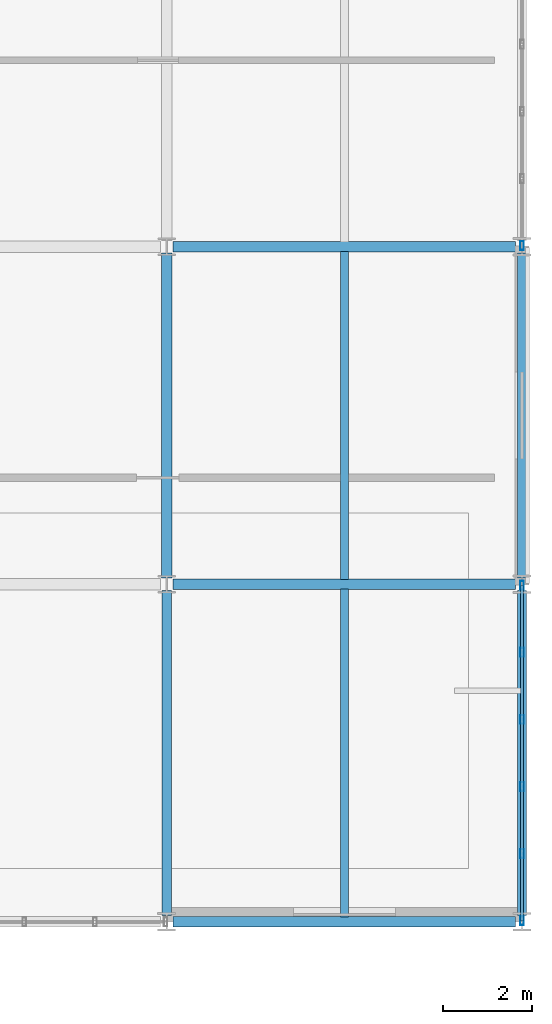
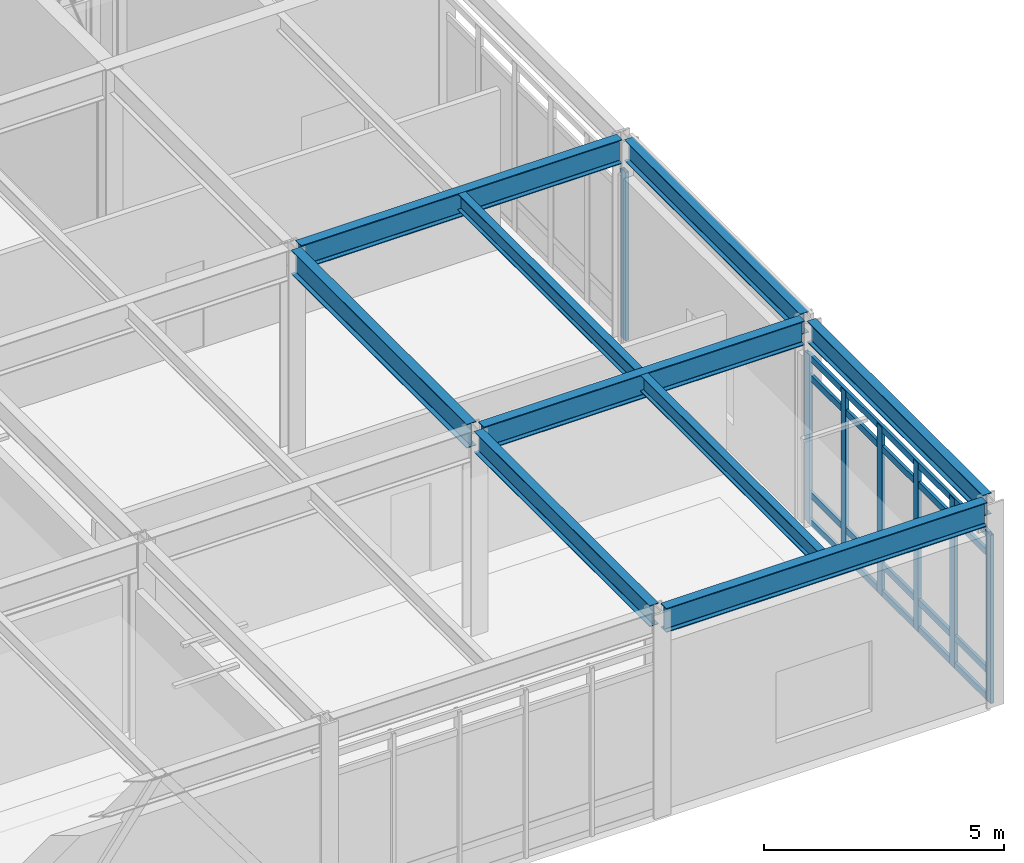
# One storey, part 58 of 94: 11 members, 9 beams, 2 elements without a shape of their own.
"""IFC4 building model written with IfcOpenShell, lengths in metres."""

import ifcopenshell
import ifcopenshell.guid

model = None  # the IFC model being written
_history = None  # IfcOwnerHistory: only IFC2X3 demands one
_inside = {}  # id of a spatial element -> (the spatial element, [elements in it])
_under = {}  # id of a project, library or spatial element -> (it, [spatial elements below it])
_declared = {}  # id of a project -> (the project, [libraries it declares])
_typed = {}  # id of a type object -> (the type object, [elements of that type])
_made_of = {}  # id of a material, layer set ... -> (it, [elements and type objects made of it])


def new_model(schema):
    """Start an empty IFC model of exactly this schema.

    Asked for "IFC4X3", IfcOpenShell would pick the latest addendum, in which some entities
    have other attributes; the version numbers below select the first issue.
    IFC2X3 requires an IfcOwnerHistory on every rooted entity: one is made here for all.
    """
    global model, _history
    if schema == "IFC4X3":
        model = ifcopenshell.file(schema_version=(4, 3, 0, 0))
    else:
        model = ifcopenshell.file(schema=schema)
    _inside.clear()
    _under.clear()
    _declared.clear()
    _typed.clear()
    _made_of.clear()
    _history = None
    if model.schema == "IFC2X3":
        org = make("IfcOrganization", Name="unknown")
        user = make(
            "IfcPersonAndOrganization",
            ThePerson=make("IfcPerson", FamilyName="unknown"),
            TheOrganization=org,
        )
        app = make(
            "IfcApplication",
            ApplicationDeveloper=org,
            Version="unknown",
            ApplicationFullName="unknown",
            ApplicationIdentifier="unknown",
        )
        _history = make(
            "IfcOwnerHistory",
            OwningUser=user,
            OwningApplication=app,
            ChangeAction="ADDED",
            CreationDate=0,
        )
    return model


def make(cls, **values):
    """One entity of the class cls with the attributes given. An attribute that is None is left unset."""
    return model.create_entity(
        cls, **{name: value for name, value in values.items() if value is not None}
    )


def rooted(cls, **values):
    """An entity with a GlobalId (a new one), such as an element, a storey or a relation."""
    return make(cls, GlobalId=ifcopenshell.guid.new(), OwnerHistory=_history, **values)


def si_unit(unit_type, name, prefix=None):
    """IfcSIUnit, for example si_unit("LENGTHUNIT", "METRE", prefix="MILLI")."""
    return make("IfcSIUnit", UnitType=unit_type, Prefix=prefix, Name=name)


def assignment(units):
    """IfcUnitAssignment: the units of a project."""
    return None if units is None else make("IfcUnitAssignment", Units=units)


def point(xyz):
    """IfcCartesianPoint."""
    return None if xyz is None else make("IfcCartesianPoint", Coordinates=xyz)


def direction(xyz):
    """IfcDirection."""
    return None if xyz is None else make("IfcDirection", DirectionRatios=xyz)


def frame(location, z_axis=None, x_axis=None):
    """IfcAxis2Placement3D, a coordinate frame: its origin and axes. An axis left out is left unset."""
    return make(
        "IfcAxis2Placement3D",
        Location=point(location),
        Axis=direction(z_axis),
        RefDirection=direction(x_axis),
    )


def frame_2d(location, x_axis=None):
    """IfcAxis2Placement2D, a coordinate frame in the plane: its origin and x axis."""
    return make(
        "IfcAxis2Placement2D", Location=point(location), RefDirection=direction(x_axis)
    )


def origin():
    """The frame at (0, 0, 0) with its axes left unset."""
    return frame((0.0, 0.0, 0.0))


def origin_2d():
    """The frame at (0, 0) in the plane with its x axis left unset."""
    return frame_2d((0.0, 0.0))


def place(relative_to, where):
    """IfcLocalPlacement: puts the frame where relative to a parent placement (None: the world)."""
    return make(
        "IfcLocalPlacement", PlacementRelTo=relative_to, RelativePlacement=where
    )


def context(
    kind, dimensions, precision=None, world=None, true_north=None, identifier=None
):
    """IfcGeometricRepresentationContext, for example the 3D "Model" context."""
    return make(
        "IfcGeometricRepresentationContext",
        ContextIdentifier=identifier,
        ContextType=kind,
        CoordinateSpaceDimension=dimensions,
        Precision=precision,
        WorldCoordinateSystem=world,
        TrueNorth=true_north,
    )


def subcontext(parent, identifier, kind, view, scale=None):
    """IfcGeometricRepresentationSubContext, for example "Body" below "Model"."""
    return make(
        "IfcGeometricRepresentationSubContext",
        ContextIdentifier=identifier,
        ContextType=kind,
        ParentContext=parent,
        TargetScale=scale,
        TargetView=view,
    )


def project(units=None, contexts=None):
    """IfcProject with its units and contexts."""
    return rooted(
        "IfcProject",
        Name="project",
        RepresentationContexts=contexts,
        UnitsInContext=assignment(units),
    )


def spatial(cls, under=None, at=None, **own):
    """A site, building, storey or space (cls), placed at a placement, below another one or the project."""
    s = rooted(cls, ObjectPlacement=at, **own)
    if under is not None:
        _under.setdefault(under.id(), (under, []))[1].append(s)
    return s


def profile(cls, at=None, kind="AREA", **sizes):
    """A parametric profile (cls). Its sizes go by their IFC names, for example OverallWidth=200.0."""
    return make(cls, ProfileType=kind, Position=at, **sizes)


def hollow_rectangle(**sizes):
    """IfcRectangleHollowProfileDef."""
    return profile("IfcRectangleHollowProfileDef", **sizes)


def i_section(**sizes):
    """IfcIShapeProfileDef."""
    return profile("IfcIShapeProfileDef", **sizes)


def extrude(swept, where, along, depth):
    """IfcExtrudedAreaSolid: the profile swept, set in the frame where, extruded along a direction by depth."""
    return make(
        "IfcExtrudedAreaSolid",
        SweptArea=swept,
        Position=where,
        ExtrudedDirection=direction(along),
        Depth=depth,
    )


def shape(context_of_items, identifier, shape_type, items):
    """IfcShapeRepresentation: the items that make up one representation, for example the "Body"."""
    return make(
        "IfcShapeRepresentation",
        ContextOfItems=context_of_items,
        RepresentationIdentifier=identifier,
        RepresentationType=shape_type,
        Items=items,
    )


def material(Name=None, Category=None):
    """IfcMaterial."""
    return make("IfcMaterial", Name=Name, Category=Category)


def material_profile(
    of_material, cross_section, Name=None, Category=None, Priority=None
):
    """IfcMaterialProfile: a cross section and its material."""
    return make(
        "IfcMaterialProfile",
        Name=Name,
        Material=of_material,
        Profile=cross_section,
        Priority=Priority,
        Category=Category,
    )


def profile_set(profiles, Name=None, composite=None):
    """IfcMaterialProfileSet."""
    return make(
        "IfcMaterialProfileSet",
        Name=Name,
        MaterialProfiles=profiles,
        CompositeProfile=composite,
    )


def made_of(thing, what):
    """Note that an element or type object is made of a material, layer set ...; save() writes the relation."""
    if what is not None:
        _made_of.setdefault(what.id(), (what, []))[1].append(thing)
    return thing


def type_object(cls, material=None, **own):
    """A type object (cls), such as IfcWallType, which elements share."""
    return made_of(rooted(cls, **own), material)


def element(
    cls,
    number,
    at=None,
    inside=None,
    cuts=None,
    type_object=None,
    material=None,
    context=None,
    identifier="Body",
    shape_type=None,
    held_by="IfcProductDefinitionShape",
    body=None,
    shapes=None,
    **own,
):
    """One element of the class cls, such as IfcWall. Its Tag is "e" and its number.

    at: its placement. inside: the storey or other place that contains it. cuts: it is an
    opening in that element (IfcRelVoidsElement). A single representation is given by context,
    identifier, shape_type and body (its items); several are given by shapes. held_by: the class
    of the entity that holds the representations. save() writes the other relations.
    """
    e = rooted(cls, Tag="e%d" % number, ObjectPlacement=at, **own)
    if body is not None:
        shapes = [shape(context, identifier, shape_type, body)]
    if shapes is not None:
        e.Representation = make(held_by, Representations=shapes)
    if inside is not None:
        _inside.setdefault(inside.id(), (inside, []))[1].append(e)
    if cuts is not None:
        rooted(
            "IfcRelVoidsElement", RelatingBuildingElement=cuts, RelatedOpeningElement=e
        )
    if type_object is not None:
        _typed.setdefault(type_object.id(), (type_object, []))[1].append(e)
    return made_of(e, material)


def aggregate(whole, parts):
    """IfcRelAggregates: a whole, such as a stair, and the parts it consists of."""
    return rooted("IfcRelAggregates", RelatingObject=whole, RelatedObjects=parts)


def save(model, path):
    """Write the relations noted so far, then the file.

    IfcRelAggregates (storeys below a building ...), IfcRelContainedInSpatialStructure (elements
    in a storey), IfcRelDefinesByType, IfcRelAssociatesMaterial and IfcRelDeclares: one each for
    every whole, place, type object, material and project.
    """
    for whole, parts in _under.values():
        aggregate(whole, parts)
    for where, things in _inside.values():
        rooted(
            "IfcRelContainedInSpatialStructure",
            RelatedElements=things,
            RelatingStructure=where,
        )
    for kind, things in _typed.values():
        rooted("IfcRelDefinesByType", RelatedObjects=things, RelatingType=kind)
    for what, things in _made_of.values():
        rooted("IfcRelAssociatesMaterial", RelatedObjects=things, RelatingMaterial=what)
    for by, libraries in _declared.values():
        rooted("IfcRelDeclares", RelatingContext=by, RelatedDefinitions=libraries)
    model.write(path)


model = new_model("IFC4")

# Units and contexts
model_context = context("Model", 3, precision=1e-05, world=origin(), true_north=direction((0.0, 1.0)))
body_context = subcontext(model_context, "Body", "Model", "MODEL_VIEW")
ifc_project = project(units=[si_unit("LENGTHUNIT", "METRE"), si_unit("AREAUNIT", "SQUARE_METRE"), si_unit("VOLUMEUNIT", "CUBIC_METRE"), si_unit("PLANEANGLEUNIT", "RADIAN"), si_unit("MASSUNIT", "GRAM", prefix="KILO")], contexts=[model_context])

# Site, building, storey
site_placement = place(None, origin())
site = spatial("IfcSite", under=ifc_project, at=site_placement, CompositionType="ELEMENT")
building_placement = place(site_placement, origin())
building = spatial("IfcBuilding", under=site, at=building_placement, Name="Zulena Civic Courthouse", CompositionType="ELEMENT")
storey_placement = place(building_placement, frame((0.0, 0.0, 5.39990234375)))
storey = spatial("IfcBuildingStorey", under=building, at=storey_placement, Name="L01", CompositionType="ELEMENT", Elevation=5.39990234375)

# Curtain wall, member
ifc_material_1 = material(Name="Double-silver low-E laminated solar-control glass", Category="glass")
curtain_wall_type = type_object("IfcCurtainWallType", Name="CW_7552x4280", PredefinedType="USERDEFINED", material=ifc_material_1)
curtain_wall_1_placement = place(storey_placement, origin())
curtain_wall_1 = element("IfcCurtainWall", 1, at=curtain_wall_1_placement, inside=storey, type_object=curtain_wall_type, Name="cw:V1:L01:2:1", ObjectType="UNITISED CURTAIN WALL", PredefinedType="USERDEFINED")
ifc_material_2 = material(Name="Bronze anodised thermally broken aluminium AA6063-T6", Category="aluminium")
ifc_material_profile_1 = material_profile(ifc_material_2, hollow_rectangle(XDim=0.080078125, YDim=0.199951171875, WallThickness=0.0048828125, at=origin_2d()), Name="CWM200X80X5")
ifc_profile_set_1 = profile_set([ifc_material_profile_1], Name="Bronze anodised thermally broken aluminium AA6063-T6")
member_type_1 = type_object("IfcMemberType", Name="CWMullion_200x80", PredefinedType="MULLION", material=ifc_profile_set_1)
member_1_placement = place(storey_placement, frame((172.0, 15.22412109375, 0.0), z_axis=(0.0, 0.0, 1.0), x_axis=(1.0, 0.0, 0.0)))
member_1 = element("IfcMember", 2, at=member_1_placement, type_object=member_type_1, Name="cw:V1:L01:2:1:mull:5", PredefinedType="MULLION", context=body_context, shape_type="SweptSolid", body=[
    extrude(hollow_rectangle(XDim=0.080078125, YDim=0.199951171875, WallThickness=0.0048828125, at=origin_2d()), origin(), (0.0, 0.0, 1.0), 4.280029296875),
])
aggregate(curtain_wall_1, [member_1])

# Curtain wall, members
curtain_wall_2_placement = place(storey_placement, origin())
curtain_wall_2 = element("IfcCurtainWall", 3, at=curtain_wall_2_placement, inside=storey, type_object=curtain_wall_type, Name="cw:V1:L01:2:3", ObjectType="UNITISED CURTAIN WALL", PredefinedType="USERDEFINED")
member_2_placement = place(storey_placement, frame((172.0, 7.575927734375, 0.0), z_axis=(0.0, 0.0, 1.0), x_axis=(1.0, 0.0, 0.0)))
member_2 = element("IfcMember", 4, at=member_2_placement, type_object=member_type_1, Name="cw:V1:L01:2:3:mull:0", PredefinedType="MULLION", context=body_context, shape_type="SweptSolid", body=[
    extrude(hollow_rectangle(XDim=0.080078125, YDim=0.199951171875, WallThickness=0.0048828125, at=origin_2d()), origin(), (0.0, 0.0, 1.0), 4.280029296875),
])
member_3_placement = place(storey_placement, frame((172.0, 6.065673828125, 0.0), z_axis=(0.0, 0.0, 1.0), x_axis=(1.0, 0.0, 0.0)))
member_3 = element("IfcMember", 5, at=member_3_placement, type_object=member_type_1, Name="cw:V1:L01:2:3:mull:1", PredefinedType="MULLION", context=body_context, shape_type="SweptSolid", body=[
    extrude(hollow_rectangle(XDim=0.080078125, YDim=0.199951171875, WallThickness=0.0048828125, at=origin_2d()), origin(), (0.0, 0.0, 1.0), 4.280029296875),
])
member_4_placement = place(storey_placement, frame((172.0, 4.55517578125, 0.0), z_axis=(0.0, 0.0, 1.0), x_axis=(1.0, 0.0, 0.0)))
member_4 = element("IfcMember", 6, at=member_4_placement, type_object=member_type_1, Name="cw:V1:L01:2:3:mull:2", PredefinedType="MULLION", context=body_context, shape_type="SweptSolid", body=[
    extrude(hollow_rectangle(XDim=0.080078125, YDim=0.199951171875, WallThickness=0.0048828125, at=origin_2d()), origin(), (0.0, 0.0, 1.0), 4.280029296875),
])
member_5_placement = place(storey_placement, frame((172.0, 3.044921875, 0.0), z_axis=(0.0, 0.0, 1.0), x_axis=(1.0, 0.0, 0.0)))
member_5 = element("IfcMember", 7, at=member_5_placement, type_object=member_type_1, Name="cw:V1:L01:2:3:mull:3", PredefinedType="MULLION", context=body_context, shape_type="SweptSolid", body=[
    extrude(hollow_rectangle(XDim=0.080078125, YDim=0.199951171875, WallThickness=0.0048828125, at=origin_2d()), origin(), (0.0, 0.0, 1.0), 4.280029296875),
])
member_6_placement = place(storey_placement, frame((172.0, 1.534423828125, 0.0), z_axis=(0.0, 0.0, 1.0), x_axis=(1.0, 0.0, 0.0)))
member_6 = element("IfcMember", 8, at=member_6_placement, type_object=member_type_1, Name="cw:V1:L01:2:3:mull:4", PredefinedType="MULLION", context=body_context, shape_type="SweptSolid", body=[
    extrude(hollow_rectangle(XDim=0.080078125, YDim=0.199951171875, WallThickness=0.0048828125, at=origin_2d()), origin(), (0.0, 0.0, 1.0), 4.280029296875),
])
member_7_placement = place(storey_placement, frame((172.0, 0.02392578125, 0.0), z_axis=(0.0, 0.0, 1.0), x_axis=(1.0, 0.0, 0.0)))
member_7 = element("IfcMember", 9, at=member_7_placement, type_object=member_type_1, Name="cw:V1:L01:2:3:mull:5", PredefinedType="MULLION", context=body_context, shape_type="SweptSolid", body=[
    extrude(hollow_rectangle(XDim=0.080078125, YDim=0.199951171875, WallThickness=0.0048828125, at=origin_2d()), origin(), (0.0, 0.0, 1.0), 4.280029296875),
])
ifc_material_profile_2 = material_profile(ifc_material_2, hollow_rectangle(XDim=0.070068359375, YDim=0.1650390625, WallThickness=0.00390625, at=origin_2d()), Name="CWT165X70X4")
ifc_profile_set_2 = profile_set([ifc_material_profile_2], Name="Bronze anodised thermally broken aluminium AA6063-T6")
member_type_2 = type_object("IfcMemberType", Name="CWTransom_165x70", PredefinedType="USERDEFINED", material=ifc_profile_set_2)
member_8_placement = place(storey_placement, frame((172.0, 7.575927734375, 0.06005859375), z_axis=(0.0, -1.0, 0.0), x_axis=(1.0, 0.0, 0.0)))
member_8 = element("IfcMember", 10, at=member_8_placement, type_object=member_type_2, Name="cw:V1:L01:2:3:tran:0", ObjectType="TRANSOM", PredefinedType="USERDEFINED", context=body_context, shape_type="SweptSolid", body=[
    extrude(hollow_rectangle(XDim=0.070068359375, YDim=0.1650390625, WallThickness=0.00390625, at=origin_2d()), origin(), (0.0, 0.0, 1.0), 7.552001953125),
])
member_9_placement = place(storey_placement, frame((172.0, 7.575927734375, 0.75), z_axis=(0.0, -1.0, 0.0), x_axis=(1.0, 0.0, 0.0)))
member_9 = element("IfcMember", 11, at=member_9_placement, type_object=member_type_2, Name="cw:V1:L01:2:3:tran:1", ObjectType="TRANSOM", PredefinedType="USERDEFINED", context=body_context, shape_type="SweptSolid", body=[
    extrude(hollow_rectangle(XDim=0.070068359375, YDim=0.1650390625, WallThickness=0.00390625, at=origin_2d()), origin(), (0.0, 0.0, 1.0), 7.552001953125),
])
member_10_placement = place(storey_placement, frame((172.0, 7.575927734375, 3.72998046875), z_axis=(0.0, -1.0, 0.0), x_axis=(1.0, 0.0, 0.0)))
member_10 = element("IfcMember", 12, at=member_10_placement, type_object=member_type_2, Name="cw:V1:L01:2:3:tran:2", ObjectType="TRANSOM", PredefinedType="USERDEFINED", context=body_context, shape_type="SweptSolid", body=[
    extrude(hollow_rectangle(XDim=0.070068359375, YDim=0.1650390625, WallThickness=0.00390625, at=origin_2d()), origin(), (0.0, 0.0, 1.0), 7.552001953125),
])
member_11_placement = place(storey_placement, frame((172.0, 7.575927734375, 4.22021484375), z_axis=(0.0, -1.0, 0.0), x_axis=(1.0, 0.0, 0.0)))
member_11 = element("IfcMember", 13, at=member_11_placement, type_object=member_type_2, Name="cw:V1:L01:2:3:tran:3", ObjectType="TRANSOM", PredefinedType="USERDEFINED", context=body_context, shape_type="SweptSolid", body=[
    extrude(hollow_rectangle(XDim=0.070068359375, YDim=0.1650390625, WallThickness=0.00390625, at=origin_2d()), origin(), (0.0, 0.0, 1.0), 7.552001953125),
])
aggregate(curtain_wall_2, [member_2, member_3, member_4, member_5, member_6, member_7, member_8, member_9, member_10, member_11])

# Beams
ifc_material_3 = material(Name="Steel ASTM A992 Grade 50", Category="steel")
ifc_material_profile_3 = material_profile(ifc_material_3, i_section(OverallWidth=0.22802734375, OverallDepth=0.60693359375, WebThickness=0.01123046875, FlangeThickness=0.017333984375, FilletRadius=0.0126953125, at=origin_2d()), Name="W24X76")
ifc_profile_set_3 = profile_set([ifc_material_profile_3], Name="Steel ASTM A992 Grade 50")
beam_type_1 = type_object("IfcBeamType", Name="Girder_W24X76", PredefinedType="BEAM", material=ifc_profile_set_3)
beam_1_placement = place(storey_placement, frame((164.0, 7.7451171875, 4.881591796875), z_axis=(0.0, 1.0, 0.0), x_axis=(-1.0, 0.0, 0.0)))
element("IfcBeam", 14, at=beam_1_placement, inside=storey, type_object=beam_type_1, Name="beam:Y:V1:L01:164.0:7.6_15.2", PredefinedType="BEAM", context=body_context, shape_type="SweptSolid", body=[
    extrude(i_section(OverallWidth=0.22802734375, OverallDepth=0.60693359375, WebThickness=0.01123046875, FlangeThickness=0.017333984375, FilletRadius=0.0126953125, at=origin_2d()), origin(), (0.0, 0.0, 1.0), 7.309814453125),
])
ifc_material_profile_4 = material_profile(ifc_material_3, i_section(OverallWidth=0.180908203125, OverallDepth=0.4169921875, WebThickness=0.010986328125, FlangeThickness=0.018310546875, FilletRadius=0.01025390625, at=origin_2d()), Name="W16X57")
ifc_profile_set_4 = profile_set([ifc_material_profile_4], Name="Steel ASTM A992 Grade 50")
beam_type_2 = type_object("IfcBeamType", Name="Joist_W16X57", PredefinedType="JOIST", material=ifc_profile_set_4)
beam_2_placement = place(storey_placement, frame((168.0, 0.10498046875, 4.9765625), z_axis=(0.0, 1.0, 0.0), x_axis=(-1.0, 0.0, 0.0)))
element("IfcBeam", 15, at=beam_2_placement, inside=storey, type_object=beam_type_2, Name="joist:V1:L01:168.00:0.0_7.6", PredefinedType="JOIST", context=body_context, shape_type="SweptSolid", body=[
    extrude(i_section(OverallWidth=0.180908203125, OverallDepth=0.4169921875, WebThickness=0.010986328125, FlangeThickness=0.018310546875, FilletRadius=0.01025390625, at=origin_2d()), origin(), (0.0, 0.0, 1.0), 7.39013671875),
])
beam_3_placement = place(storey_placement, frame((168.0, 7.705078125, 4.9765625), z_axis=(0.0, 1.0, 0.0), x_axis=(-1.0, 0.0, 0.0)))
element("IfcBeam", 16, at=beam_3_placement, inside=storey, type_object=beam_type_2, Name="joist:V1:L01:168.00:7.6_15.2", PredefinedType="JOIST", context=body_context, shape_type="SweptSolid", body=[
    extrude(i_section(OverallWidth=0.180908203125, OverallDepth=0.4169921875, WebThickness=0.010986328125, FlangeThickness=0.018310546875, FilletRadius=0.01025390625, at=origin_2d()), origin(), (0.0, 0.0, 1.0), 7.389892578125),
])
ifc_material_profile_5 = material_profile(ifc_material_3, i_section(OverallWidth=0.2099609375, OverallDepth=0.537109375, WebThickness=0.010986328125, FlangeThickness=0.017333984375, FilletRadius=0.0126953125, at=origin_2d()), Name="W21X68")
ifc_profile_set_5 = profile_set([ifc_material_profile_5], Name="Steel ASTM A992 Grade 50")
beam_type_3 = type_object("IfcBeamType", Name="Spandrel_W21X68", PredefinedType="SPANDREL", material=ifc_profile_set_5)
for number, where, z_axis, x_axis, name in (
    (17, (164.0, 0.14501953125, 4.91650390625), (0.0, 1.0, 0.0), (-1.0, 0.0, 0.0), "beam:Y:V1:L01:164.0:0.0_7.6"),
    (18, (172.0, 0.14501953125, 4.91650390625), (0.0, 1.0, 0.0), (-1.0, 0.0, 0.0), "beam:Y:V1:L01:172.0:0.0_7.6"),
):
    element("IfcBeam", number, at=place(storey_placement, frame(where, z_axis=z_axis, x_axis=x_axis)), inside=storey, type_object=beam_type_3, Name=name, PredefinedType="SPANDREL", context=body_context, shape_type="SweptSolid", body=[
        extrude(i_section(OverallWidth=0.2099609375, OverallDepth=0.537109375, WebThickness=0.010986328125, FlangeThickness=0.017333984375, FilletRadius=0.0126953125, at=origin_2d()), origin(), (0.0, 0.0, 1.0), 7.31005859375),
    ])
beam_4_placement = place(storey_placement, frame((172.0, 7.7451171875, 4.91650390625), z_axis=(0.0, 1.0, 0.0), x_axis=(-1.0, 0.0, 0.0)))
element("IfcBeam", 19, at=beam_4_placement, inside=storey, type_object=beam_type_3, Name="beam:Y:V1:L01:172.0:7.6_15.2", PredefinedType="SPANDREL", context=body_context, shape_type="SweptSolid", body=[
    extrude(i_section(OverallWidth=0.2099609375, OverallDepth=0.537109375, WebThickness=0.010986328125, FlangeThickness=0.017333984375, FilletRadius=0.0126953125, at=origin_2d()), origin(), (0.0, 0.0, 1.0), 7.309814453125),
])
ifc_material_profile_6 = material_profile(ifc_material_3, i_section(OverallWidth=0.22998046875, OverallDepth=0.616943359375, WebThickness=0.01318359375, FlangeThickness=0.022216796875, FilletRadius=0.0126953125, at=origin_2d()), Name="W24X94")
ifc_profile_set_6 = profile_set([ifc_material_profile_6], Name="Steel ASTM A992 Grade 50")
beam_type_4 = type_object("IfcBeamType", Name="Spandrel_W24X94", PredefinedType="SPANDREL", material=ifc_profile_set_6)
for number, where, z_axis, x_axis, name in (
    (20, (164.14501953125, 0.0, 4.876708984375), (1.0, 0.0, 0.0), (0.0, 1.0, 0.0), "beam:X:V1:L01:0.0:164.0_172.0"),
    (21, (164.14501953125, 7.60009765625, 4.876708984375), (1.0, 0.0, 0.0), (0.0, 1.0, 0.0), "beam:X:V1:L01:7.6:164.0_172.0"),
    (22, (164.14501953125, 15.199951171875, 4.876708984375), (1.0, 0.0, 0.0), (0.0, 1.0, 0.0), "beam:X:V1:L01:15.2:164.0_172.0"),
):
    element("IfcBeam", number, at=place(storey_placement, frame(where, z_axis=z_axis, x_axis=x_axis)), inside=storey, type_object=beam_type_4, Name=name, PredefinedType="SPANDREL", context=body_context, shape_type="SweptSolid", body=[
        extrude(i_section(OverallWidth=0.22998046875, OverallDepth=0.616943359375, WebThickness=0.01318359375, FlangeThickness=0.022216796875, FilletRadius=0.0126953125, at=origin_2d()), origin(), (0.0, 0.0, 1.0), 7.7099609375),
    ])

save(model, "model.ifc")
